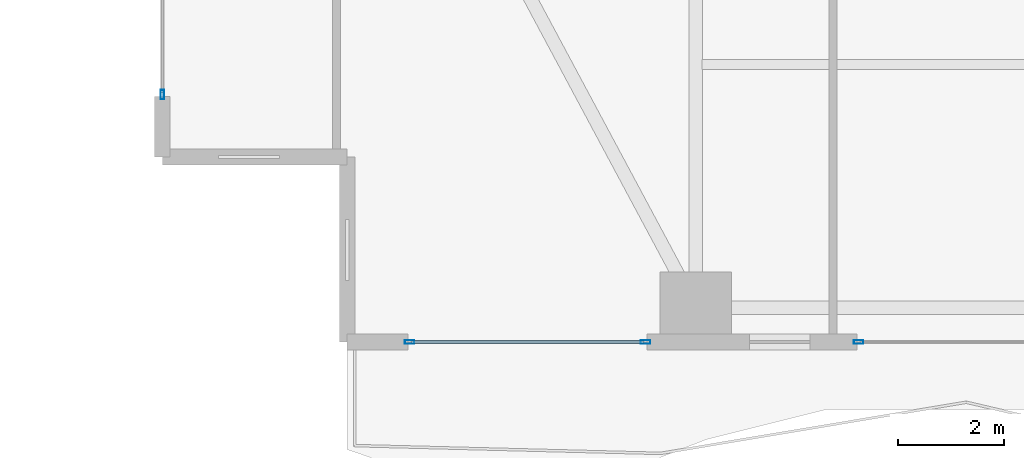
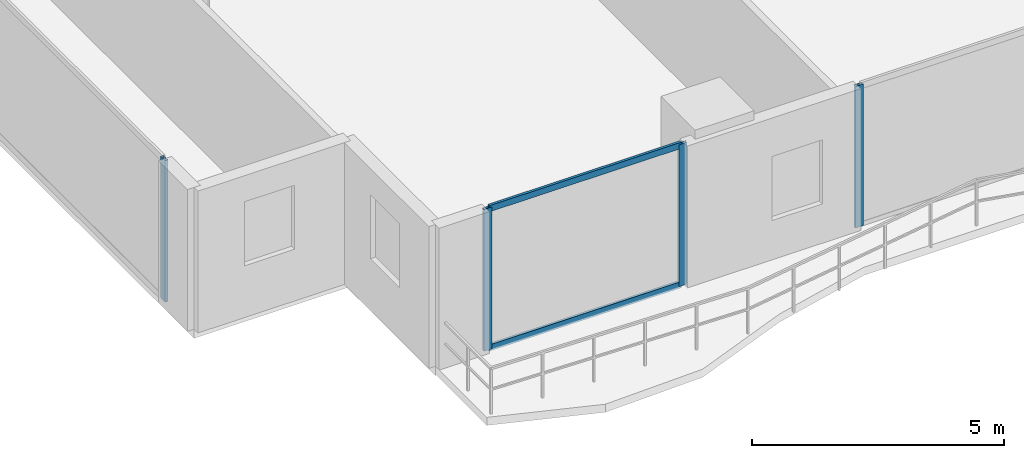
# One storey, part 2 of 28: 6 members, 3 elements without a shape of their own.
"""IFC4 building model written with IfcOpenShell, lengths in metres."""

from ifc_helpers import new_model, si_unit, direction, frame, origin, origin_2d, place, context, subcontext, project, spatial, hollow_rectangle, extrude, material, layer, layer_set, material_profile, profile_set, type_object, element, aggregate, save


model = new_model("IFC4")

# Units and contexts
model_context = context("Model", 3, precision=1e-05, world=origin(), true_north=direction((0.0, 1.0)))
body_context = subcontext(model_context, "Body", "Model", "MODEL_VIEW")
ifc_project = project(units=[si_unit("LENGTHUNIT", "METRE"), si_unit("AREAUNIT", "SQUARE_METRE"), si_unit("VOLUMEUNIT", "CUBIC_METRE"), si_unit("PLANEANGLEUNIT", "RADIAN"), si_unit("MASSUNIT", "GRAM", prefix="KILO")], contexts=[model_context])

# Site, building, storey
site_placement = place(None, origin())
site = spatial("IfcSite", under=ifc_project, at=site_placement, CompositionType="ELEMENT")
building_placement = place(site_placement, origin())
building = spatial("IfcBuilding", under=site, at=building_placement, Name="Zuhayl Quay Hotel", CompositionType="ELEMENT")
storey_placement = place(building_placement, frame((0.0, 0.0, 99.300048828125)))
storey = spatial("IfcBuildingStorey", under=building, at=storey_placement, Name="L24", CompositionType="ELEMENT", Elevation=99.300048828125)

# Curtain wall, member
ifc_material_1 = material(Name="Anodised Aluminium 6063-T6", Category="aluminium")
ifc_layer = layer(ifc_material_1, 0.179931640625, Name="Anodised Aluminium 6063-T6", Category="aluminium")
ifc_layer_set = layer_set([ifc_layer], Name="Anodised Aluminium 6063-T6")
curtain_wall_type = type_object("IfcCurtainWallType", Name="CW_SYS_Z2", PredefinedType="USERDEFINED", material=ifc_layer_set)
curtain_wall_1_placement = place(storey_placement, origin())
curtain_wall_1 = element("IfcCurtainWall", 1, at=curtain_wall_1_placement, inside=storey, type_object=curtain_wall_type, Name="L24 Curtain Wall ENV_L24_E02_CW1", ObjectType="UNITISED CURTAIN WALL", PredefinedType="USERDEFINED")
ifc_material_2 = material(Name="Black-anodised aluminium 6063-T6", Category="aluminium")
ifc_material_profile_1 = material_profile(ifc_material_2, hollow_rectangle(XDim=0.06494140625, YDim=0.179931640625, WallThickness=0.00341796875, at=origin_2d()), Name="ALU180X65")
ifc_profile_set_1 = profile_set([ifc_material_profile_1], Name="Black-anodised aluminium 6063-T6")
member_type_1 = type_object("IfcMemberType", Name="MB_CW_MUL_180", PredefinedType="MULLION", material=ifc_profile_set_1)
member_1_placement = place(storey_placement, frame((-23.89990234375, -10.717529296875, 0.0), z_axis=(0.0, 0.0, 1.0), x_axis=(-1.0, 0.0, 0.0)))
member_1 = element("IfcMember", 2, at=member_1_placement, type_object=member_type_1, Name="CW-Z2 mullion 1", PredefinedType="MULLION", context=body_context, shape_type="SweptSolid", body=[
    extrude(hollow_rectangle(XDim=0.06494140625, YDim=0.179931640625, WallThickness=0.00341796875, at=origin_2d()), origin(), (0.0, 0.0, 1.0), 3.429931640625),
])
aggregate(curtain_wall_1, [member_1])

curtain_wall_2_placement = place(storey_placement, origin())
curtain_wall_2 = element("IfcCurtainWall", 3, at=curtain_wall_2_placement, inside=storey, type_object=curtain_wall_type, Name="L24 Curtain Wall ENV_L24_S_CW5", ObjectType="UNITISED CURTAIN WALL", PredefinedType="USERDEFINED")
member_2_placement = place(storey_placement, frame((-10.717529296875, -15.39990234375, 0.0), z_axis=(0.0, 0.0, 1.0), x_axis=(0.0, -1.0, 0.0)))
member_2 = element("IfcMember", 4, at=member_2_placement, type_object=member_type_1, Name="CW-Z2 mullion 2", PredefinedType="MULLION", context=body_context, shape_type="SweptSolid", body=[
    extrude(hollow_rectangle(XDim=0.06494140625, YDim=0.179931640625, WallThickness=0.00341796875, at=origin_2d()), origin(), (0.0, 0.0, 1.0), 3.429931640625),
])
aggregate(curtain_wall_2, [member_2])

# Curtain wall, members
curtain_wall_3_placement = place(storey_placement, origin())
curtain_wall_3 = element("IfcCurtainWall", 5, at=curtain_wall_3_placement, inside=storey, type_object=curtain_wall_type, Name="L24 Curtain Wall ENV_L24_S_CW6", ObjectType="UNITISED CURTAIN WALL", PredefinedType="USERDEFINED")
member_3_placement = place(storey_placement, frame((-14.75244140625, -15.39990234375, 0.0), z_axis=(0.0, 0.0, 1.0), x_axis=(0.0, -1.0, 0.0)))
member_3 = element("IfcMember", 6, at=member_3_placement, type_object=member_type_1, Name="CW-Z2 mullion 1", PredefinedType="MULLION", context=body_context, shape_type="SweptSolid", body=[
    extrude(hollow_rectangle(XDim=0.06494140625, YDim=0.179931640625, WallThickness=0.00341796875, at=origin_2d()), origin(), (0.0, 0.0, 1.0), 3.429931640625),
])
member_4_placement = place(storey_placement, frame((-19.217529296875, -15.39990234375, 0.0), z_axis=(0.0, 0.0, 1.0), x_axis=(0.0, -1.0, 0.0)))
member_4 = element("IfcMember", 7, at=member_4_placement, type_object=member_type_1, Name="CW-Z2 mullion 2", PredefinedType="MULLION", context=body_context, shape_type="SweptSolid", body=[
    extrude(hollow_rectangle(XDim=0.06494140625, YDim=0.179931640625, WallThickness=0.00341796875, at=origin_2d()), origin(), (0.0, 0.0, 1.0), 3.429931640625),
])
ifc_material_profile_2 = material_profile(ifc_material_2, hollow_rectangle(XDim=0.06005859375, YDim=0.14990234375, WallThickness=0.00341796875, at=origin_2d()), Name="ALU150X60")
ifc_profile_set_2 = profile_set([ifc_material_profile_2], Name="Black-anodised aluminium 6063-T6")
member_type_2 = type_object("IfcMemberType", Name="MB_CW_TRN_150", PredefinedType="USERDEFINED", material=ifc_profile_set_2)
member_5_placement = place(storey_placement, frame((-14.784912109375, -15.39990234375, 0.030029296875), z_axis=(-1.0, 0.0, 0.0), x_axis=(0.0, -1.0, 0.0)))
member_5 = element("IfcMember", 8, at=member_5_placement, type_object=member_type_2, Name="CW-Z2 transom 1.1", ObjectType="TRANSOM", PredefinedType="USERDEFINED", context=body_context, shape_type="SweptSolid", body=[
    extrude(hollow_rectangle(XDim=0.06005859375, YDim=0.14990234375, WallThickness=0.00341796875, at=origin_2d()), origin(), (0.0, 0.0, 1.0), 4.400146484375),
])
member_6_placement = place(storey_placement, frame((-14.784912109375, -15.39990234375, 3.39990234375), z_axis=(-1.0, 0.0, 0.0), x_axis=(0.0, -1.0, 0.0)))
member_6 = element("IfcMember", 9, at=member_6_placement, type_object=member_type_2, Name="CW-Z2 transom 1.2", ObjectType="TRANSOM", PredefinedType="USERDEFINED", context=body_context, shape_type="SweptSolid", body=[
    extrude(hollow_rectangle(XDim=0.06005859375, YDim=0.14990234375, WallThickness=0.00341796875, at=origin_2d()), origin(), (0.0, 0.0, 1.0), 4.400146484375),
])
aggregate(curtain_wall_3, [member_3, member_4, member_5, member_6])

save(model, "model.ifc")
